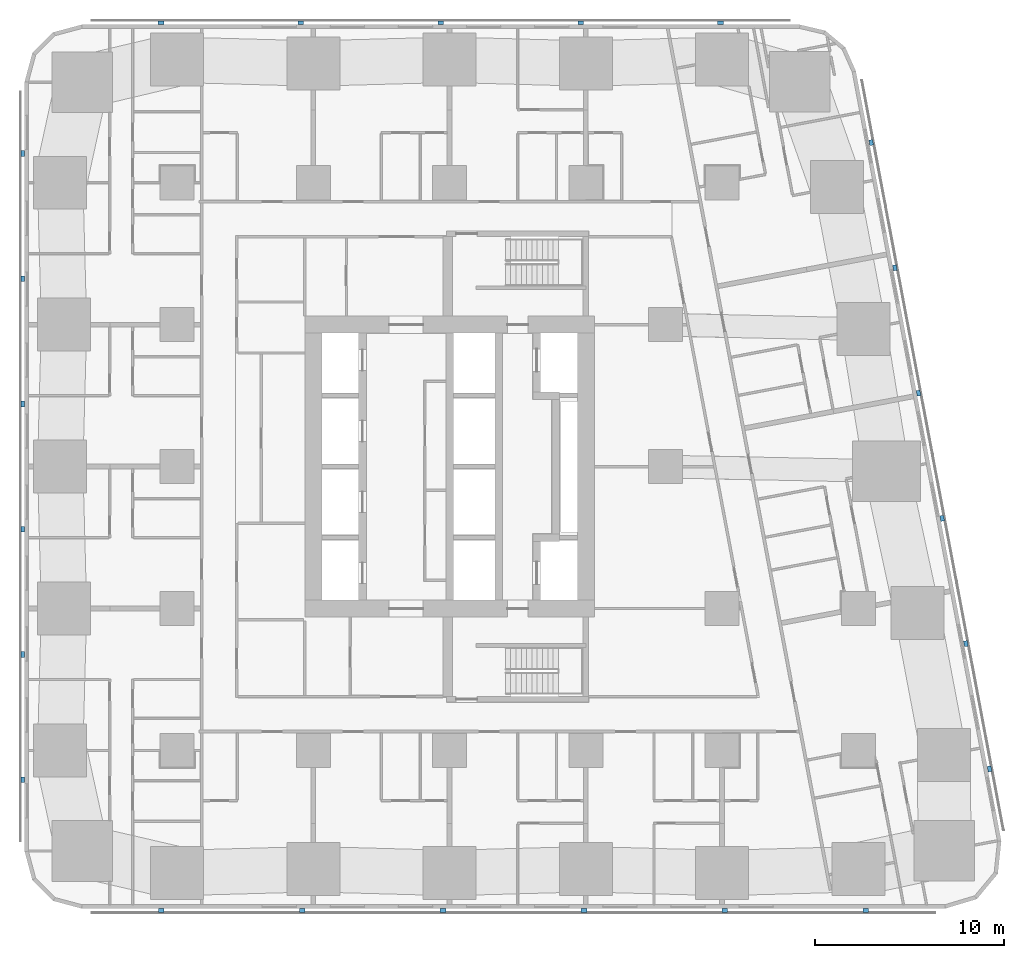
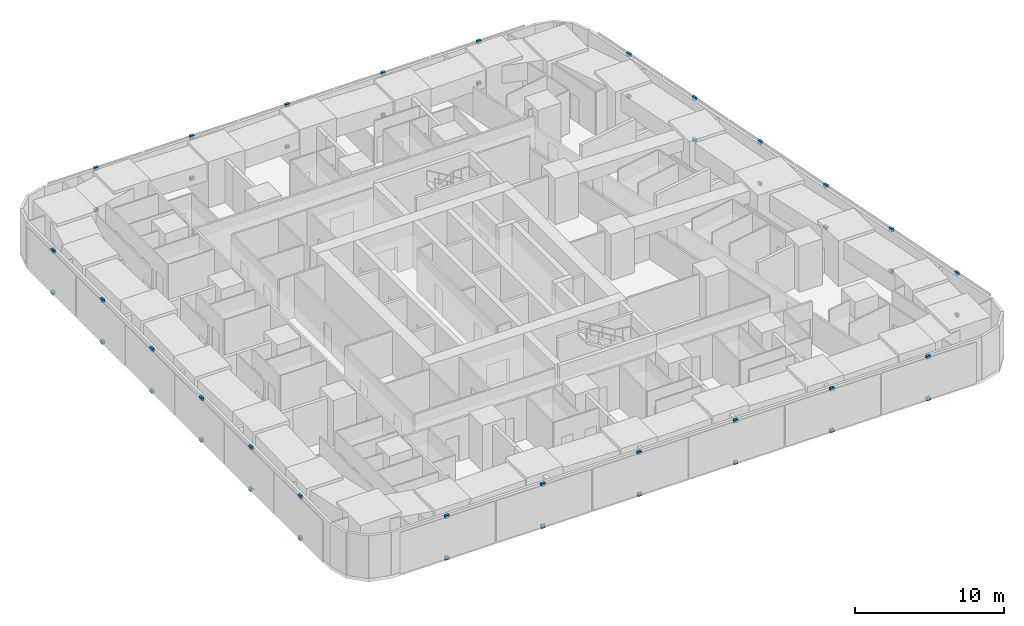
# One storey, part 11 of 15: 46 discrete accessories.
"""IFC4 building model written with IfcOpenShell, lengths in metres."""

from ifc_helpers import new_model, si_unit, direction, frame, origin, origin_2d, place, context, subcontext, project, spatial, rectangle, extrude, material, type_object, element, save


model = new_model("IFC4")

# Units and contexts
model_context = context("Model", 3, precision=1e-05, world=origin(), true_north=direction((0.0, 1.0)))
body_context = subcontext(model_context, "Body", "Model", "MODEL_VIEW")
ifc_project = project(units=[si_unit("LENGTHUNIT", "METRE"), si_unit("AREAUNIT", "SQUARE_METRE"), si_unit("VOLUMEUNIT", "CUBIC_METRE"), si_unit("PLANEANGLEUNIT", "RADIAN"), si_unit("MASSUNIT", "GRAM", prefix="KILO")], contexts=[model_context])

# Site, building, storey
site_placement = place(None, origin())
site = spatial("IfcSite", under=ifc_project, at=site_placement, CompositionType="ELEMENT")
building_placement = place(site_placement, origin())
building = spatial("IfcBuilding", under=site, at=building_placement, Name="Sheger Commons Tower", CompositionType="ELEMENT")
storey_placement = place(building_placement, frame((0.0, 0.0, 46.25)))
storey = spatial("IfcBuildingStorey", under=building, at=storey_placement, Name="L11", CompositionType="ELEMENT", Elevation=46.25)

# Discrete accessories
ifc_material = material(Name="Black painted steel bracket", Category="steel")
discrete_accessory_type = type_object("IfcDiscreteAccessoryType", Name="SCREEN BRACKET 300x200x250", PredefinedType="BRACKET", material=ifc_material)
for number, where, z_axis, x_axis, name in (
    (1, (6.37109375, -0.949951171875, -0.10009765625), (0.0, 0.0, 1.0), (1.0, 0.0, 0.0), "Solar screen foot bracket"),
    (2, (6.37109375, -0.949951171875, 3.300048828125), (0.0, 0.0, 1.0), (1.0, 0.0, 0.0), "Solar screen head bracket"),
    (3, (13.81396484375, -0.949951171875, -0.10009765625), (0.0, 0.0, 1.0), (1.0, 0.0, 0.0), "Solar screen foot bracket"),
    (4, (13.81396484375, -0.949951171875, 3.300048828125), (0.0, 0.0, 1.0), (1.0, 0.0, 0.0), "Solar screen head bracket"),
    (5, (21.257080078125, -0.949951171875, -0.10009765625), (0.0, 0.0, 1.0), (1.0, 0.0, 0.0), "Solar screen foot bracket"),
    (6, (21.257080078125, -0.949951171875, 3.300048828125), (0.0, 0.0, 1.0), (1.0, 0.0, 0.0), "Solar screen head bracket"),
    (7, (28.698974609375, -0.949951171875, -0.10009765625), (0.0, 0.0, 1.0), (1.0, 0.0, 0.0), "Solar screen foot bracket"),
    (8, (28.698974609375, -0.949951171875, 3.300048828125), (0.0, 0.0, 1.0), (1.0, 0.0, 0.0), "Solar screen head bracket"),
    (9, (36.14208984375, -0.949951171875, -0.10009765625), (0.0, 0.0, 1.0), (1.0, 0.0, 0.0), "Solar screen foot bracket"),
    (10, (36.14208984375, -0.949951171875, 3.300048828125), (0.0, 0.0, 1.0), (1.0, 0.0, 0.0), "Solar screen head bracket"),
    (11, (43.5849609375, -0.949951171875, -0.10009765625), (0.0, 0.0, 1.0), (1.0, 0.0, 0.0), "Solar screen foot bracket"),
    (12, (43.5849609375, -0.949951171875, 3.300048828125), (0.0, 0.0, 1.0), (1.0, 0.0, 0.0), "Solar screen head bracket"),
    (13, (50.134033203125, 6.527099609375, -0.10009765625), (0.0, 0.0, 1.0), (-0.185615165645, 0.982622516678, 0.0), "Solar screen foot bracket"),
    (14, (50.134033203125, 6.527099609375, 3.300048828125), (0.0, 0.0, 1.0), (-0.185615165645, 0.982622516678, 0.0), "Solar screen head bracket"),
    (15, (48.884033203125, 13.14599609375, -0.10009765625), (0.0, 0.0, 1.0), (-0.185615165645, 0.982622516678, 0.0), "Solar screen foot bracket"),
    (16, (48.884033203125, 13.14599609375, 3.300048828125), (0.0, 0.0, 1.0), (-0.185615165645, 0.982622516678, 0.0), "Solar screen head bracket"),
    (17, (47.633056640625, 19.76611328125, -0.10009765625), (0.0, 0.0, 1.0), (-0.185615165645, 0.982622516678, 0.0), "Solar screen foot bracket"),
    (18, (47.633056640625, 19.76611328125, 3.300048828125), (0.0, 0.0, 1.0), (-0.185615165645, 0.982622516678, 0.0), "Solar screen head bracket"),
    (19, (46.383056640625, 26.385009765625, -0.10009765625), (0.0, 0.0, 1.0), (-0.185615165645, 0.982622516678, 0.0), "Solar screen foot bracket"),
    (20, (46.383056640625, 26.385009765625, 3.300048828125), (0.0, 0.0, 1.0), (-0.185615165645, 0.982622516678, 0.0), "Solar screen head bracket"),
    (21, (45.133056640625, 33.0048828125, -0.10009765625), (0.0, 0.0, 1.0), (-0.185615165645, 0.982622516678, 0.0), "Solar screen foot bracket"),
    (22, (45.133056640625, 33.0048828125, 3.300048828125), (0.0, 0.0, 1.0), (-0.185615165645, 0.982622516678, 0.0), "Solar screen head bracket"),
    (23, (43.882080078125, 39.6240234375, -0.10009765625), (0.0, 0.0, 1.0), (-0.185615165645, 0.982622516678, 0.0), "Solar screen foot bracket"),
    (24, (43.882080078125, 39.6240234375, 3.300048828125), (0.0, 0.0, 1.0), (-0.185615165645, 0.982622516678, 0.0), "Solar screen head bracket"),
    (25, (35.9208984375, 45.949951171875, -0.10009765625), (0.0, 0.0, 1.0), (-1.0, 0.0, 0.0), "Solar screen foot bracket"),
    (26, (35.9208984375, 45.949951171875, 3.300048828125), (0.0, 0.0, 1.0), (-1.0, 0.0, 0.0), "Solar screen head bracket"),
    (27, (28.528076171875, 45.949951171875, -0.10009765625), (0.0, 0.0, 1.0), (-1.0, 0.0, 0.0), "Solar screen foot bracket"),
    (28, (28.528076171875, 45.949951171875, 3.300048828125), (0.0, 0.0, 1.0), (-1.0, 0.0, 0.0), "Solar screen head bracket"),
    (29, (21.134033203125, 45.949951171875, -0.10009765625), (0.0, 0.0, 1.0), (-1.0, 0.0, 0.0), "Solar screen foot bracket"),
    (30, (21.134033203125, 45.949951171875, 3.300048828125), (0.0, 0.0, 1.0), (-1.0, 0.0, 0.0), "Solar screen head bracket"),
    (31, (13.739990234375, 45.949951171875, -0.10009765625), (0.0, 0.0, 1.0), (-1.0, 0.0, 0.0), "Solar screen foot bracket"),
    (32, (13.739990234375, 45.949951171875, 3.300048828125), (0.0, 0.0, 1.0), (-1.0, 0.0, 0.0), "Solar screen head bracket"),
    (33, (6.346923828125, 45.949951171875, -0.10009765625), (0.0, 0.0, 1.0), (-1.0, 0.0, 0.0), "Solar screen foot bracket"),
    (34, (6.346923828125, 45.949951171875, 3.300048828125), (0.0, 0.0, 1.0), (-1.0, 0.0, 0.0), "Solar screen head bracket"),
    (35, (-0.949951171875, 39.0419921875, -0.10009765625), (0.0, 0.0, 1.0), (0.0, -1.0, 0.0), "Solar screen foot bracket"),
    (36, (-0.949951171875, 39.0419921875, 3.300048828125), (0.0, 0.0, 1.0), (0.0, -1.0, 0.0), "Solar screen head bracket"),
    (37, (-0.949951171875, 32.425048828125, -0.10009765625), (0.0, 0.0, 1.0), (0.0, -1.0, 0.0), "Solar screen foot bracket"),
    (38, (-0.949951171875, 32.425048828125, 3.300048828125), (0.0, 0.0, 1.0), (0.0, -1.0, 0.0), "Solar screen head bracket"),
    (39, (-0.949951171875, 25.80810546875, -0.10009765625), (0.0, 0.0, 1.0), (0.0, -1.0, 0.0), "Solar screen foot bracket"),
    (40, (-0.949951171875, 25.80810546875, 3.300048828125), (0.0, 0.0, 1.0), (0.0, -1.0, 0.0), "Solar screen head bracket"),
    (41, (-0.949951171875, 19.19189453125, -0.10009765625), (0.0, 0.0, 1.0), (0.0, -1.0, 0.0), "Solar screen foot bracket"),
    (42, (-0.949951171875, 19.19189453125, 3.300048828125), (0.0, 0.0, 1.0), (0.0, -1.0, 0.0), "Solar screen head bracket"),
    (43, (-0.949951171875, 12.574951171875, -0.10009765625), (0.0, 0.0, 1.0), (0.0, -1.0, 0.0), "Solar screen foot bracket"),
    (44, (-0.949951171875, 12.574951171875, 3.300048828125), (0.0, 0.0, 1.0), (0.0, -1.0, 0.0), "Solar screen head bracket"),
    (45, (-0.949951171875, 5.9580078125, -0.10009765625), (0.0, 0.0, 1.0), (0.0, -1.0, 0.0), "Solar screen foot bracket"),
    (46, (-0.949951171875, 5.9580078125, 3.300048828125), (0.0, 0.0, 1.0), (0.0, -1.0, 0.0), "Solar screen head bracket"),
):
    element("IfcDiscreteAccessory", number, at=place(storey_placement, frame(where, z_axis=z_axis, x_axis=x_axis)), inside=storey, type_object=discrete_accessory_type, Name=name, PredefinedType="BRACKET", context=body_context, shape_type="SweptSolid", body=[
        extrude(rectangle(XDim=0.300048828125, YDim=0.199951171875, at=origin_2d()), origin(), (0.0, 0.0, 1.0), 0.25),
    ])

save(model, "model.ifc")
